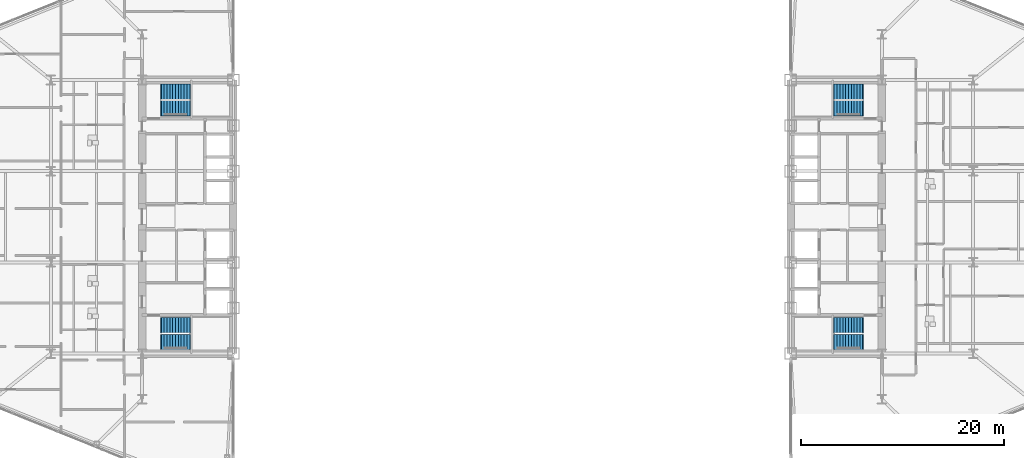
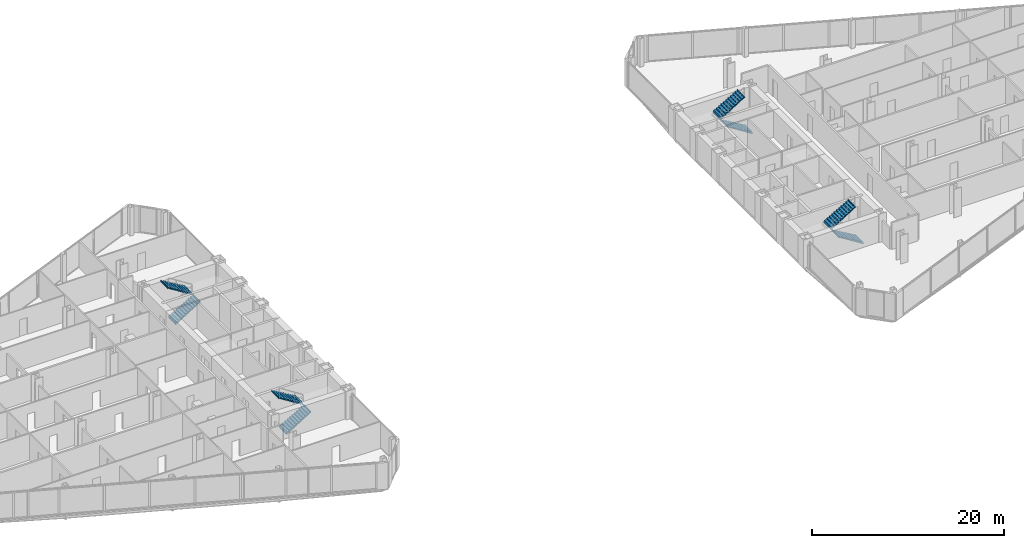
# One storey, part 23 of 25: 8 stair flights, 4 elements without a shape of their own.
"""IFC4 building model written with IfcOpenShell, lengths in metres."""

import ifcopenshell
import ifcopenshell.guid

model = None  # the IFC model being written
_history = None  # IfcOwnerHistory: only IFC2X3 demands one
_inside = {}  # id of a spatial element -> (the spatial element, [elements in it])
_under = {}  # id of a project, library or spatial element -> (it, [spatial elements below it])
_declared = {}  # id of a project -> (the project, [libraries it declares])
_typed = {}  # id of a type object -> (the type object, [elements of that type])
_made_of = {}  # id of a material, layer set ... -> (it, [elements and type objects made of it])


def new_model(schema):
    """Start an empty IFC model of exactly this schema.

    Asked for "IFC4X3", IfcOpenShell would pick the latest addendum, in which some entities
    have other attributes; the version numbers below select the first issue.
    IFC2X3 requires an IfcOwnerHistory on every rooted entity: one is made here for all.
    """
    global model, _history
    if schema == "IFC4X3":
        model = ifcopenshell.file(schema_version=(4, 3, 0, 0))
    else:
        model = ifcopenshell.file(schema=schema)
    _inside.clear()
    _under.clear()
    _declared.clear()
    _typed.clear()
    _made_of.clear()
    _history = None
    if model.schema == "IFC2X3":
        org = make("IfcOrganization", Name="unknown")
        user = make(
            "IfcPersonAndOrganization",
            ThePerson=make("IfcPerson", FamilyName="unknown"),
            TheOrganization=org,
        )
        app = make(
            "IfcApplication",
            ApplicationDeveloper=org,
            Version="unknown",
            ApplicationFullName="unknown",
            ApplicationIdentifier="unknown",
        )
        _history = make(
            "IfcOwnerHistory",
            OwningUser=user,
            OwningApplication=app,
            ChangeAction="ADDED",
            CreationDate=0,
        )
    return model


def make(cls, **values):
    """One entity of the class cls with the attributes given. An attribute that is None is left unset."""
    return model.create_entity(
        cls, **{name: value for name, value in values.items() if value is not None}
    )


def rooted(cls, **values):
    """An entity with a GlobalId (a new one), such as an element, a storey or a relation."""
    return make(cls, GlobalId=ifcopenshell.guid.new(), OwnerHistory=_history, **values)


def si_unit(unit_type, name, prefix=None):
    """IfcSIUnit, for example si_unit("LENGTHUNIT", "METRE", prefix="MILLI")."""
    return make("IfcSIUnit", UnitType=unit_type, Prefix=prefix, Name=name)


def assignment(units):
    """IfcUnitAssignment: the units of a project."""
    return None if units is None else make("IfcUnitAssignment", Units=units)


def point(xyz):
    """IfcCartesianPoint."""
    return None if xyz is None else make("IfcCartesianPoint", Coordinates=xyz)


def direction(xyz):
    """IfcDirection."""
    return None if xyz is None else make("IfcDirection", DirectionRatios=xyz)


def frame(location, z_axis=None, x_axis=None):
    """IfcAxis2Placement3D, a coordinate frame: its origin and axes. An axis left out is left unset."""
    return make(
        "IfcAxis2Placement3D",
        Location=point(location),
        Axis=direction(z_axis),
        RefDirection=direction(x_axis),
    )


def origin():
    """The frame at (0, 0, 0) with its axes left unset."""
    return frame((0.0, 0.0, 0.0))


def place(relative_to, where):
    """IfcLocalPlacement: puts the frame where relative to a parent placement (None: the world)."""
    return make(
        "IfcLocalPlacement", PlacementRelTo=relative_to, RelativePlacement=where
    )


def context(
    kind, dimensions, precision=None, world=None, true_north=None, identifier=None
):
    """IfcGeometricRepresentationContext, for example the 3D "Model" context."""
    return make(
        "IfcGeometricRepresentationContext",
        ContextIdentifier=identifier,
        ContextType=kind,
        CoordinateSpaceDimension=dimensions,
        Precision=precision,
        WorldCoordinateSystem=world,
        TrueNorth=true_north,
    )


def subcontext(parent, identifier, kind, view, scale=None):
    """IfcGeometricRepresentationSubContext, for example "Body" below "Model"."""
    return make(
        "IfcGeometricRepresentationSubContext",
        ContextIdentifier=identifier,
        ContextType=kind,
        ParentContext=parent,
        TargetScale=scale,
        TargetView=view,
    )


def project(units=None, contexts=None):
    """IfcProject with its units and contexts."""
    return rooted(
        "IfcProject",
        Name="project",
        RepresentationContexts=contexts,
        UnitsInContext=assignment(units),
    )


def spatial(cls, under=None, at=None, **own):
    """A site, building, storey or space (cls), placed at a placement, below another one or the project."""
    s = rooted(cls, ObjectPlacement=at, **own)
    if under is not None:
        _under.setdefault(under.id(), (under, []))[1].append(s)
    return s


def polyline(points):
    """IfcPolyline through the points."""
    return make("IfcPolyline", Points=[point(p) for p in points])


def outline(outer, holes=None, kind="AREA"):
    """IfcArbitraryClosedProfileDef: a profile drawn as a closed curve; with holes, ...WithVoids."""
    if holes is None:
        return make("IfcArbitraryClosedProfileDef", ProfileType=kind, OuterCurve=outer)
    return make(
        "IfcArbitraryProfileDefWithVoids",
        ProfileType=kind,
        OuterCurve=outer,
        InnerCurves=holes,
    )


def extrude(swept, where, along, depth):
    """IfcExtrudedAreaSolid: the profile swept, set in the frame where, extruded along a direction by depth."""
    return make(
        "IfcExtrudedAreaSolid",
        SweptArea=swept,
        Position=where,
        ExtrudedDirection=direction(along),
        Depth=depth,
    )


def shape(context_of_items, identifier, shape_type, items):
    """IfcShapeRepresentation: the items that make up one representation, for example the "Body"."""
    return make(
        "IfcShapeRepresentation",
        ContextOfItems=context_of_items,
        RepresentationIdentifier=identifier,
        RepresentationType=shape_type,
        Items=items,
    )


def material(Name=None, Category=None):
    """IfcMaterial."""
    return make("IfcMaterial", Name=Name, Category=Category)


def made_of(thing, what):
    """Note that an element or type object is made of a material, layer set ...; save() writes the relation."""
    if what is not None:
        _made_of.setdefault(what.id(), (what, []))[1].append(thing)
    return thing


def type_object(cls, material=None, **own):
    """A type object (cls), such as IfcWallType, which elements share."""
    return made_of(rooted(cls, **own), material)


def element(
    cls,
    number,
    at=None,
    inside=None,
    cuts=None,
    type_object=None,
    material=None,
    context=None,
    identifier="Body",
    shape_type=None,
    held_by="IfcProductDefinitionShape",
    body=None,
    shapes=None,
    **own,
):
    """One element of the class cls, such as IfcWall. Its Tag is "e" and its number.

    at: its placement. inside: the storey or other place that contains it. cuts: it is an
    opening in that element (IfcRelVoidsElement). A single representation is given by context,
    identifier, shape_type and body (its items); several are given by shapes. held_by: the class
    of the entity that holds the representations. save() writes the other relations.
    """
    e = rooted(cls, Tag="e%d" % number, ObjectPlacement=at, **own)
    if body is not None:
        shapes = [shape(context, identifier, shape_type, body)]
    if shapes is not None:
        e.Representation = make(held_by, Representations=shapes)
    if inside is not None:
        _inside.setdefault(inside.id(), (inside, []))[1].append(e)
    if cuts is not None:
        rooted(
            "IfcRelVoidsElement", RelatingBuildingElement=cuts, RelatedOpeningElement=e
        )
    if type_object is not None:
        _typed.setdefault(type_object.id(), (type_object, []))[1].append(e)
    return made_of(e, material)


def aggregate(whole, parts):
    """IfcRelAggregates: a whole, such as a stair, and the parts it consists of."""
    return rooted("IfcRelAggregates", RelatingObject=whole, RelatedObjects=parts)


def save(model, path):
    """Write the relations noted so far, then the file.

    IfcRelAggregates (storeys below a building ...), IfcRelContainedInSpatialStructure (elements
    in a storey), IfcRelDefinesByType, IfcRelAssociatesMaterial and IfcRelDeclares: one each for
    every whole, place, type object, material and project.
    """
    for whole, parts in _under.values():
        aggregate(whole, parts)
    for where, things in _inside.values():
        rooted(
            "IfcRelContainedInSpatialStructure",
            RelatedElements=things,
            RelatingStructure=where,
        )
    for kind, things in _typed.values():
        rooted("IfcRelDefinesByType", RelatedObjects=things, RelatingType=kind)
    for what, things in _made_of.values():
        rooted("IfcRelAssociatesMaterial", RelatedObjects=things, RelatingMaterial=what)
    for by, libraries in _declared.values():
        rooted("IfcRelDeclares", RelatingContext=by, RelatedDefinitions=libraries)
    model.write(path)


model = new_model("IFC4")

# Units and contexts
model_context = context("Model", 3, precision=1e-05, world=origin(), true_north=direction((0.0, 1.0)))
body_context = subcontext(model_context, "Body", "Model", "MODEL_VIEW")
ifc_project = project(units=[si_unit("LENGTHUNIT", "METRE"), si_unit("AREAUNIT", "SQUARE_METRE"), si_unit("VOLUMEUNIT", "CUBIC_METRE"), si_unit("PLANEANGLEUNIT", "RADIAN"), si_unit("MASSUNIT", "GRAM", prefix="KILO")], contexts=[model_context])

# Site, building, storey
site_placement = place(None, origin())
site = spatial("IfcSite", under=ifc_project, at=site_placement, CompositionType="ELEMENT")
building_placement = place(site_placement, origin())
building = spatial("IfcBuilding", under=site, at=building_placement, Name="Seokmaru Belvedere", CompositionType="ELEMENT")
storey_placement = place(building_placement, frame((0.0, 0.0, 44.10009765625)))
storey = spatial("IfcBuildingStorey", under=building, at=storey_placement, Name="L11", CompositionType="ELEMENT", Elevation=44.10009765625)

# Stair, stair flights
ifc_material = material(Name="Concrete C40 (40 MPa)", Category="concrete")
stair_type = type_object("IfcStairType", Name="Typical Tower Core Dog-Leg Stair 3600", PredefinedType="TWO_STRAIGHT_RUN_STAIR", material=ifc_material)
stair_1_placement = place(storey_placement, origin())
stair_1 = element("IfcStair", 1, at=stair_1_placement, inside=storey, type_object=stair_type, Name="L11 Special Escape Stair ST-W1", PredefinedType="TWO_STRAIGHT_RUN_STAIR")
stair_flight_type = type_object("IfcStairFlightType", Name="Reinforced Concrete Stair Flight 1500", PredefinedType="STRAIGHT", material=ifc_material)
stair_flight_1_placement = place(storey_placement, frame((-34.60009765625, -12.35009765625, 0.0), z_axis=(0.0, 0.0, 1.0), x_axis=(1.0, 0.0, 0.0)))
stair_flight_1 = element("IfcStairFlight", 2, at=stair_flight_1_placement, type_object=stair_flight_type, Name="ST-W1 flight 1", NumberOfRisers=11, NumberOfTreads=10, PredefinedType="STRAIGHT", RiserHeight=0.163636364, TreadLength=0.28, context=body_context, shape_type="SweptSolid", body=[
    extrude(outline(polyline([(-0.080078125, 0.0), (0.0, 0.16357421875), (0.280029296875, 0.16357421875), (0.280029296875, 0.327392578125), (0.56005859375, 0.327392578125), (0.56005859375, 0.490966796875), (0.840087890625, 0.490966796875), (0.840087890625, 0.654541015625), (1.1201171875, 0.654541015625), (1.1201171875, 0.818115234375), (1.39990234375, 0.818115234375), (1.39990234375, 0.98193359375), (1.679931640625, 0.98193359375), (1.679931640625, 1.1455078125), (1.9599609375, 1.1455078125), (1.9599609375, 1.30908203125), (2.239990234375, 1.30908203125), (2.239990234375, 1.47265625), (2.52001953125, 1.47265625), (2.52001953125, 1.636474609375), (2.800048828125, 1.636474609375), (2.800048828125, 1.800048828125), (2.8798828125, 1.800048828125), (2.8798828125, 1.610107421875), (2.800048828125, 1.610107421875), (0.0, -0.159912109375), (-0.080078125, -0.159912109375), (-0.080078125, 0.0)])), frame((0.0, 0.75, 0.0), z_axis=(0.0, -1.0, 0.0), x_axis=(1.0, 0.0, 0.0)), (0.0, 0.0, 1.0), 1.5),
])
stair_flight_2_placement = place(storey_placement, frame((-31.800048828125, -10.7099609375, 1.7998046875), z_axis=(0.0, 0.0, 1.0), x_axis=(-1.0, 0.0, 0.0)))
stair_flight_2 = element("IfcStairFlight", 3, at=stair_flight_2_placement, type_object=stair_flight_type, Name="ST-W1 flight 2", NumberOfRisers=11, NumberOfTreads=10, PredefinedType="STRAIGHT", RiserHeight=0.163636364, TreadLength=0.28, context=body_context, shape_type="SweptSolid", body=[
    extrude(outline(polyline([(-0.080078125, 0.0), (0.0, 0.16357421875), (0.280029296875, 0.16357421875), (0.280029296875, 0.327392578125), (0.56005859375, 0.327392578125), (0.56005859375, 0.490966796875), (0.840087890625, 0.490966796875), (0.840087890625, 0.654541015625), (1.1201171875, 0.654541015625), (1.1201171875, 0.818115234375), (1.39990234375, 0.818115234375), (1.39990234375, 0.98193359375), (1.679931640625, 0.98193359375), (1.679931640625, 1.1455078125), (1.9599609375, 1.1455078125), (1.9599609375, 1.30908203125), (2.239990234375, 1.30908203125), (2.239990234375, 1.47265625), (2.52001953125, 1.47265625), (2.52001953125, 1.636474609375), (2.800048828125, 1.636474609375), (2.800048828125, 1.800048828125), (2.8798828125, 1.800048828125), (2.8798828125, 1.610107421875), (2.800048828125, 1.610107421875), (0.0, -0.159912109375), (-0.080078125, -0.159912109375), (-0.080078125, 0.0)])), frame((0.0, 0.75, 0.0), z_axis=(0.0, -1.0, 0.0), x_axis=(1.0, 0.0, 0.0)), (0.0, 0.0, 1.0), 1.5),
])
aggregate(stair_1, [stair_flight_1, stair_flight_2])

stair_2_placement = place(storey_placement, origin())
stair_2 = element("IfcStair", 4, at=stair_2_placement, inside=storey, type_object=stair_type, Name="L11 Special Escape Stair ST-W2", PredefinedType="TWO_STRAIGHT_RUN_STAIR")
stair_flight_3_placement = place(storey_placement, frame((-34.60009765625, 10.7099609375, 0.0), z_axis=(0.0, 0.0, 1.0), x_axis=(1.0, 0.0, 0.0)))
stair_flight_3 = element("IfcStairFlight", 5, at=stair_flight_3_placement, type_object=stair_flight_type, Name="ST-W2 flight 1", NumberOfRisers=11, NumberOfTreads=10, PredefinedType="STRAIGHT", RiserHeight=0.163636364, TreadLength=0.28, context=body_context, shape_type="SweptSolid", body=[
    extrude(outline(polyline([(-0.080078125, 0.0), (0.0, 0.16357421875), (0.280029296875, 0.16357421875), (0.280029296875, 0.327392578125), (0.56005859375, 0.327392578125), (0.56005859375, 0.490966796875), (0.840087890625, 0.490966796875), (0.840087890625, 0.654541015625), (1.1201171875, 0.654541015625), (1.1201171875, 0.818115234375), (1.39990234375, 0.818115234375), (1.39990234375, 0.98193359375), (1.679931640625, 0.98193359375), (1.679931640625, 1.1455078125), (1.9599609375, 1.1455078125), (1.9599609375, 1.30908203125), (2.239990234375, 1.30908203125), (2.239990234375, 1.47265625), (2.52001953125, 1.47265625), (2.52001953125, 1.636474609375), (2.800048828125, 1.636474609375), (2.800048828125, 1.800048828125), (2.8798828125, 1.800048828125), (2.8798828125, 1.610107421875), (2.800048828125, 1.610107421875), (0.0, -0.159912109375), (-0.080078125, -0.159912109375), (-0.080078125, 0.0)])), frame((0.0, 0.75, 0.0), z_axis=(0.0, -1.0, 0.0), x_axis=(1.0, 0.0, 0.0)), (0.0, 0.0, 1.0), 1.5),
])
stair_flight_4_placement = place(storey_placement, frame((-31.800048828125, 12.35009765625, 1.7998046875), z_axis=(0.0, 0.0, 1.0), x_axis=(-1.0, 0.0, 0.0)))
stair_flight_4 = element("IfcStairFlight", 6, at=stair_flight_4_placement, type_object=stair_flight_type, Name="ST-W2 flight 2", NumberOfRisers=11, NumberOfTreads=10, PredefinedType="STRAIGHT", RiserHeight=0.163636364, TreadLength=0.28, context=body_context, shape_type="SweptSolid", body=[
    extrude(outline(polyline([(-0.080078125, 0.0), (0.0, 0.16357421875), (0.280029296875, 0.16357421875), (0.280029296875, 0.327392578125), (0.56005859375, 0.327392578125), (0.56005859375, 0.490966796875), (0.840087890625, 0.490966796875), (0.840087890625, 0.654541015625), (1.1201171875, 0.654541015625), (1.1201171875, 0.818115234375), (1.39990234375, 0.818115234375), (1.39990234375, 0.98193359375), (1.679931640625, 0.98193359375), (1.679931640625, 1.1455078125), (1.9599609375, 1.1455078125), (1.9599609375, 1.30908203125), (2.239990234375, 1.30908203125), (2.239990234375, 1.47265625), (2.52001953125, 1.47265625), (2.52001953125, 1.636474609375), (2.800048828125, 1.636474609375), (2.800048828125, 1.800048828125), (2.8798828125, 1.800048828125), (2.8798828125, 1.610107421875), (2.800048828125, 1.610107421875), (0.0, -0.159912109375), (-0.080078125, -0.159912109375), (-0.080078125, 0.0)])), frame((0.0, 0.75, 0.0), z_axis=(0.0, -1.0, 0.0), x_axis=(1.0, 0.0, 0.0)), (0.0, 0.0, 1.0), 1.5),
])
aggregate(stair_2, [stair_flight_3, stair_flight_4])

stair_3_placement = place(storey_placement, origin())
stair_3 = element("IfcStair", 7, at=stair_3_placement, inside=storey, type_object=stair_type, Name="L11 Special Escape Stair ST-E1", PredefinedType="TWO_STRAIGHT_RUN_STAIR")
stair_flight_5_placement = place(storey_placement, frame((34.60009765625, -12.35009765625, 0.0), z_axis=(0.0, 0.0, 1.0), x_axis=(-1.0, 0.0, 0.0)))
stair_flight_5 = element("IfcStairFlight", 8, at=stair_flight_5_placement, type_object=stair_flight_type, Name="ST-E1 flight 1", NumberOfRisers=11, NumberOfTreads=10, PredefinedType="STRAIGHT", RiserHeight=0.163636364, TreadLength=0.28, context=body_context, shape_type="SweptSolid", body=[
    extrude(outline(polyline([(-0.080078125, 0.0), (0.0, 0.16357421875), (0.280029296875, 0.16357421875), (0.280029296875, 0.327392578125), (0.56005859375, 0.327392578125), (0.56005859375, 0.490966796875), (0.840087890625, 0.490966796875), (0.840087890625, 0.654541015625), (1.1201171875, 0.654541015625), (1.1201171875, 0.818115234375), (1.39990234375, 0.818115234375), (1.39990234375, 0.98193359375), (1.679931640625, 0.98193359375), (1.679931640625, 1.1455078125), (1.9599609375, 1.1455078125), (1.9599609375, 1.30908203125), (2.239990234375, 1.30908203125), (2.239990234375, 1.47265625), (2.52001953125, 1.47265625), (2.52001953125, 1.636474609375), (2.800048828125, 1.636474609375), (2.800048828125, 1.800048828125), (2.8798828125, 1.800048828125), (2.8798828125, 1.610107421875), (2.800048828125, 1.610107421875), (0.0, -0.159912109375), (-0.080078125, -0.159912109375), (-0.080078125, 0.0)])), frame((0.0, 0.75, 0.0), z_axis=(0.0, -1.0, 0.0), x_axis=(1.0, 0.0, 0.0)), (0.0, 0.0, 1.0), 1.5),
])
stair_flight_6_placement = place(storey_placement, frame((31.800048828125, -10.7099609375, 1.7998046875), z_axis=(0.0, 0.0, 1.0), x_axis=(1.0, 0.0, 0.0)))
stair_flight_6 = element("IfcStairFlight", 9, at=stair_flight_6_placement, type_object=stair_flight_type, Name="ST-E1 flight 2", NumberOfRisers=11, NumberOfTreads=10, PredefinedType="STRAIGHT", RiserHeight=0.163636364, TreadLength=0.28, context=body_context, shape_type="SweptSolid", body=[
    extrude(outline(polyline([(-0.080078125, 0.0), (0.0, 0.16357421875), (0.280029296875, 0.16357421875), (0.280029296875, 0.327392578125), (0.56005859375, 0.327392578125), (0.56005859375, 0.490966796875), (0.840087890625, 0.490966796875), (0.840087890625, 0.654541015625), (1.1201171875, 0.654541015625), (1.1201171875, 0.818115234375), (1.39990234375, 0.818115234375), (1.39990234375, 0.98193359375), (1.679931640625, 0.98193359375), (1.679931640625, 1.1455078125), (1.9599609375, 1.1455078125), (1.9599609375, 1.30908203125), (2.239990234375, 1.30908203125), (2.239990234375, 1.47265625), (2.52001953125, 1.47265625), (2.52001953125, 1.636474609375), (2.800048828125, 1.636474609375), (2.800048828125, 1.800048828125), (2.8798828125, 1.800048828125), (2.8798828125, 1.610107421875), (2.800048828125, 1.610107421875), (0.0, -0.159912109375), (-0.080078125, -0.159912109375), (-0.080078125, 0.0)])), frame((0.0, 0.75, 0.0), z_axis=(0.0, -1.0, 0.0), x_axis=(1.0, 0.0, 0.0)), (0.0, 0.0, 1.0), 1.5),
])
aggregate(stair_3, [stair_flight_5, stair_flight_6])

stair_4_placement = place(storey_placement, origin())
stair_4 = element("IfcStair", 10, at=stair_4_placement, inside=storey, type_object=stair_type, Name="L11 Special Escape Stair ST-E2", PredefinedType="TWO_STRAIGHT_RUN_STAIR")
stair_flight_7_placement = place(storey_placement, frame((34.60009765625, 10.7099609375, 0.0), z_axis=(0.0, 0.0, 1.0), x_axis=(-1.0, 0.0, 0.0)))
stair_flight_7 = element("IfcStairFlight", 11, at=stair_flight_7_placement, type_object=stair_flight_type, Name="ST-E2 flight 1", NumberOfRisers=11, NumberOfTreads=10, PredefinedType="STRAIGHT", RiserHeight=0.163636364, TreadLength=0.28, context=body_context, shape_type="SweptSolid", body=[
    extrude(outline(polyline([(-0.080078125, 0.0), (0.0, 0.16357421875), (0.280029296875, 0.16357421875), (0.280029296875, 0.327392578125), (0.56005859375, 0.327392578125), (0.56005859375, 0.490966796875), (0.840087890625, 0.490966796875), (0.840087890625, 0.654541015625), (1.1201171875, 0.654541015625), (1.1201171875, 0.818115234375), (1.39990234375, 0.818115234375), (1.39990234375, 0.98193359375), (1.679931640625, 0.98193359375), (1.679931640625, 1.1455078125), (1.9599609375, 1.1455078125), (1.9599609375, 1.30908203125), (2.239990234375, 1.30908203125), (2.239990234375, 1.47265625), (2.52001953125, 1.47265625), (2.52001953125, 1.636474609375), (2.800048828125, 1.636474609375), (2.800048828125, 1.800048828125), (2.8798828125, 1.800048828125), (2.8798828125, 1.610107421875), (2.800048828125, 1.610107421875), (0.0, -0.159912109375), (-0.080078125, -0.159912109375), (-0.080078125, 0.0)])), frame((0.0, 0.75, 0.0), z_axis=(0.0, -1.0, 0.0), x_axis=(1.0, 0.0, 0.0)), (0.0, 0.0, 1.0), 1.5),
])
stair_flight_8_placement = place(storey_placement, frame((31.800048828125, 12.35009765625, 1.7998046875), z_axis=(0.0, 0.0, 1.0), x_axis=(1.0, 0.0, 0.0)))
stair_flight_8 = element("IfcStairFlight", 12, at=stair_flight_8_placement, type_object=stair_flight_type, Name="ST-E2 flight 2", NumberOfRisers=11, NumberOfTreads=10, PredefinedType="STRAIGHT", RiserHeight=0.163636364, TreadLength=0.28, context=body_context, shape_type="SweptSolid", body=[
    extrude(outline(polyline([(-0.080078125, 0.0), (0.0, 0.16357421875), (0.280029296875, 0.16357421875), (0.280029296875, 0.327392578125), (0.56005859375, 0.327392578125), (0.56005859375, 0.490966796875), (0.840087890625, 0.490966796875), (0.840087890625, 0.654541015625), (1.1201171875, 0.654541015625), (1.1201171875, 0.818115234375), (1.39990234375, 0.818115234375), (1.39990234375, 0.98193359375), (1.679931640625, 0.98193359375), (1.679931640625, 1.1455078125), (1.9599609375, 1.1455078125), (1.9599609375, 1.30908203125), (2.239990234375, 1.30908203125), (2.239990234375, 1.47265625), (2.52001953125, 1.47265625), (2.52001953125, 1.636474609375), (2.800048828125, 1.636474609375), (2.800048828125, 1.800048828125), (2.8798828125, 1.800048828125), (2.8798828125, 1.610107421875), (2.800048828125, 1.610107421875), (0.0, -0.159912109375), (-0.080078125, -0.159912109375), (-0.080078125, 0.0)])), frame((0.0, 0.75, 0.0), z_axis=(0.0, -1.0, 0.0), x_axis=(1.0, 0.0, 0.0)), (0.0, 0.0, 1.0), 1.5),
])
aggregate(stair_4, [stair_flight_7, stair_flight_8])

save(model, "model.ifc")
